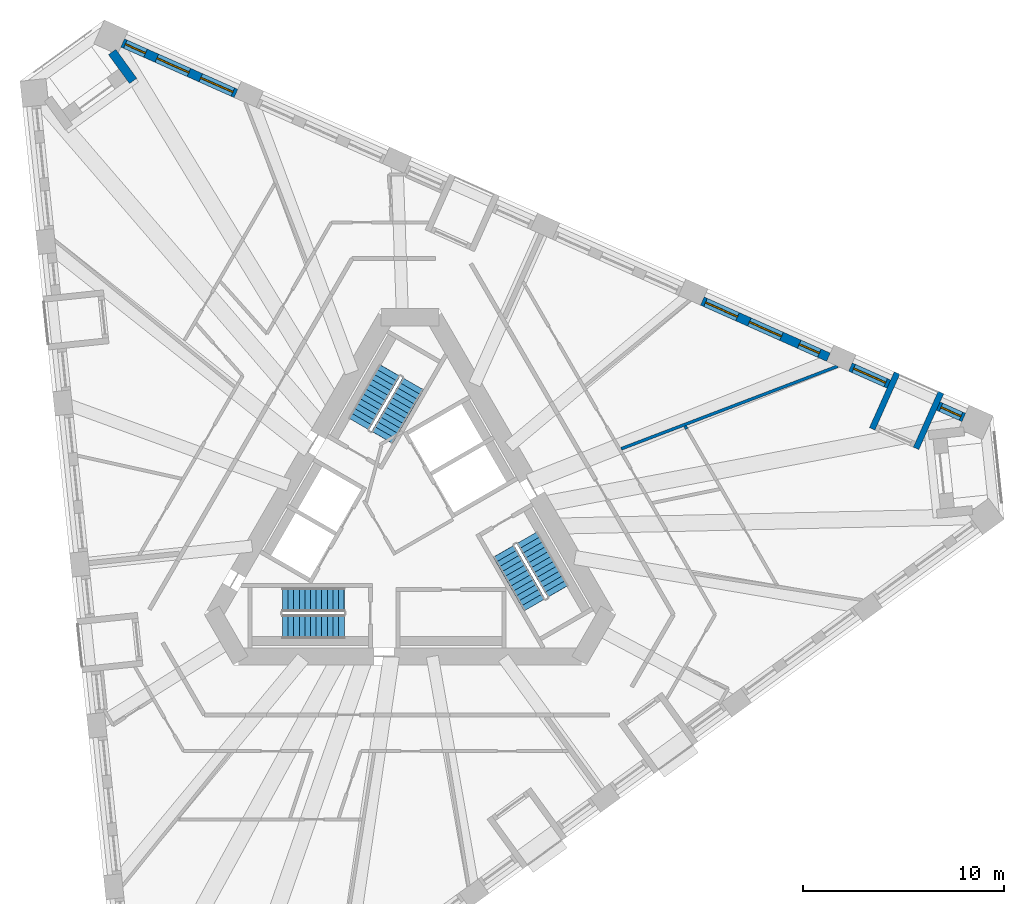
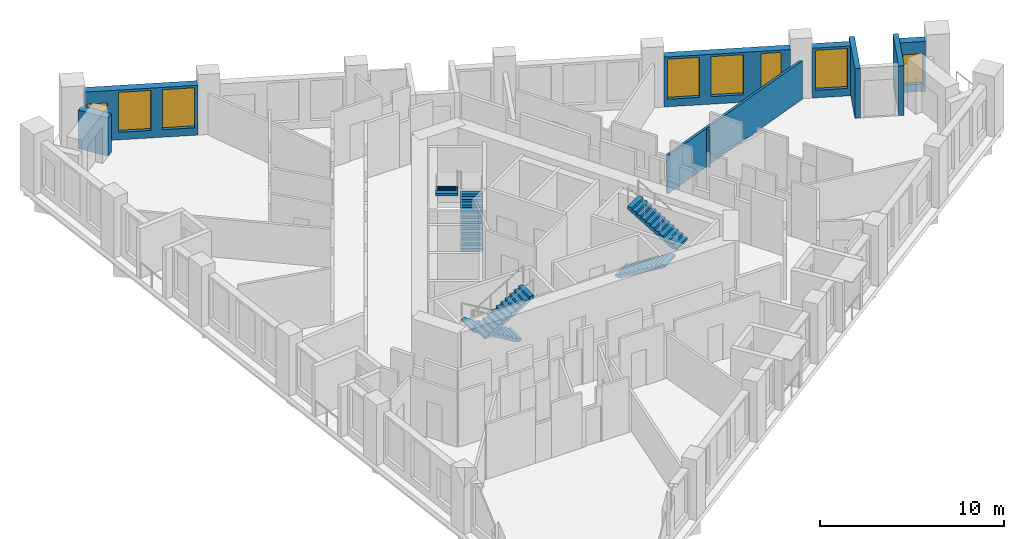
# One storey, part 9 of 14: 9 walls, 8 windows, 6 stair flights, 8 openings, 3 elements without a shape of their own.
"""IFC4 building model written with IfcOpenShell, lengths in metres."""

from ifc_helpers import new_model, si_unit, direction, frame, frame_2d, origin, place, context, subcontext, project, spatial, polyline, rectangle, outline, extrude, material, layer, layer_set, type_object, element, fill, aggregate, save


model = new_model("IFC4")

# Units and contexts
model_context = context("Model", 3, precision=1e-05, world=origin(), true_north=direction((0.0, 1.0)))
body_context = subcontext(model_context, "Body", "Model", "MODEL_VIEW")
ifc_project = project(units=[si_unit("LENGTHUNIT", "METRE"), si_unit("AREAUNIT", "SQUARE_METRE"), si_unit("VOLUMEUNIT", "CUBIC_METRE"), si_unit("PLANEANGLEUNIT", "RADIAN"), si_unit("MASSUNIT", "GRAM", prefix="KILO")], contexts=[model_context])

# Site, building, storey
site_placement = place(None, origin())
site = spatial("IfcSite", under=ifc_project, at=site_placement, CompositionType="ELEMENT")
building_placement = place(site_placement, origin())
building = spatial("IfcBuilding", under=site, at=building_placement, Name="Tramontana Tower", CompositionType="ELEMENT")
storey_placement = place(building_placement, frame((0.0, 0.0, 166.800048828125)))
storey = spatial("IfcBuildingStorey", under=building, at=storey_placement, Name="L38", CompositionType="ELEMENT", Elevation=166.800048828125)

# Wall, opening, window
ifc_material_1 = material(Name="Precast concrete 60 MPa", Category="concrete")
ifc_layer_1 = layer(ifc_material_1, 0.449951171875)
ifc_layer_set_1 = layer_set([ifc_layer_1], Name="Precast concrete 60 MPa, 450 mm")
wall_type_1 = type_object("IfcWallType", Name="EW1 Stone-faced precast wall 450", PredefinedType="SOLIDWALL", material=ifc_layer_set_1)
wall_1_placement = place(storey_placement, frame((27.604736328125, 5.57958984375, 0.0), z_axis=(0.0, 0.0, 1.0), x_axis=(-0.913558681389, 0.406706940756, 0.0)))
wall_1 = element("IfcWall", 1, at=wall_1_placement, inside=storey, type_object=wall_type_1, Name="External wall L38 face 2 bay 1", PredefinedType="SOLIDWALL", context=body_context, shape_type="SweptSolid", body=[
    extrude(rectangle(XDim=1.39453125, YDim=0.449951171875, at=frame_2d((0.697265625, 0.0))), origin(), (0.0, 0.0, 1.0), 3.300048828125),
])
opening_1_placement = place(wall_1_placement, frame((0.147216796875, 0.0, 0.5)))
opening_1 = element("IfcOpeningElement", 2, at=opening_1_placement, cuts=wall_1, Name="Opening N2L", PredefinedType="OPENING", context=body_context, shape_type="SweptSolid", body=[
    extrude(rectangle(XDim=1.10009765625, YDim=2.0, at=frame_2d((0.550048828125, 1.0))), frame((0.0, 0.23486328125, 0.0), z_axis=(0.0, -1.0, 0.0), x_axis=(1.0, 0.0, 0.0)), (0.0, 0.0, 1.0), 0.469970703125),
])
ifc_material_2 = material(Name="Aluminum frame, double glazing unit", Category="aluminium")
window_type_1 = type_object("IfcWindowType", Name="N2L Window 1.1 x 2", PartitioningType="SINGLE_PANEL", PredefinedType="WINDOW", material=ifc_material_2)
window_1_placement = place(opening_1_placement, origin())
window_1 = element("IfcWindow", 3, at=window_1_placement, inside=storey, type_object=window_type_1, Name="Window N2L L38 face 2 module 1", OverallHeight=2.0, OverallWidth=1.10009765625, PartitioningType="SINGLE_PANEL", PredefinedType="WINDOW", context=body_context, shape_type="SweptSolid", body=[
    extrude(rectangle(XDim=1.10009765625, YDim=2.0, at=frame_2d((0.550048828125, 1.0))), frame((0.0, 0.030029296875, 0.0), z_axis=(0.0, -1.0, 0.0), x_axis=(1.0, 0.0, 0.0)), (0.0, 0.0, 1.0), 0.06005859375),
])
fill(opening_1, window_1)

wall_2_placement = place(storey_placement, frame((23.86962890625, 7.242431640625, 0.0), z_axis=(0.0, 0.0, 1.0), x_axis=(-0.913513282906, 0.406808901026, 0.0)))
wall_2 = element("IfcWall", 4, at=wall_2_placement, inside=storey, type_object=wall_type_1, Name="External wall L38 face 2 bay 1", PredefinedType="SOLIDWALL", context=body_context, shape_type="SweptSolid", body=[
    extrude(rectangle(XDim=2.094482421875, YDim=0.449951171875, at=frame_2d((1.04736328125, 0.0))), origin(), (0.0, 0.0, 1.0), 3.300048828125),
])
opening_2_placement = place(wall_2_placement, frame((0.172119140625, 0.0, 0.5)))
opening_2 = element("IfcOpeningElement", 5, at=opening_2_placement, cuts=wall_2, Name="Opening M2", PredefinedType="OPENING", context=body_context, shape_type="SweptSolid", body=[
    extrude(rectangle(XDim=1.75, YDim=2.64990234375, at=frame_2d((0.875, 1.324951171875))), frame((0.0, 0.23486328125, 0.0), z_axis=(0.0, -1.0, 0.0), x_axis=(1.0, 0.0, 0.0)), (0.0, 0.0, 1.0), 0.469970703125),
])
ifc_material_3 = material(Name="Aluminum frame, double glazing unit", Category="aluminium")
window_type_2 = type_object("IfcWindowType", Name="M2 Window 1.75 x 2.65", PartitioningType="SINGLE_PANEL", PredefinedType="WINDOW", material=ifc_material_3)
window_2_placement = place(opening_2_placement, origin())
window_2 = element("IfcWindow", 6, at=window_2_placement, inside=storey, type_object=window_type_2, Name="Window M2 L38 face 2 module 3", OverallHeight=2.64990234375, OverallWidth=1.75, PartitioningType="SINGLE_PANEL", PredefinedType="WINDOW", context=body_context, shape_type="SweptSolid", body=[
    extrude(rectangle(XDim=1.75, YDim=2.64990234375, at=frame_2d((0.875, 1.324951171875))), frame((0.0, 0.030029296875, 0.0), z_axis=(0.0, -1.0, 0.0), x_axis=(1.0, 0.0, 0.0)), (0.0, 0.0, 1.0), 0.06005859375),
])
fill(opening_2, window_2)

# Wall, openings, windows
wall_3_placement = place(storey_placement, frame((20.860107421875, 8.58251953125, 0.0), z_axis=(0.0, 0.0, 1.0), x_axis=(-0.913543675585, 0.40674064562, 0.0)))
wall_3 = element("IfcWall", 7, at=wall_3_placement, inside=storey, type_object=wall_type_1, Name="External wall L38 face 2 bay 2", PredefinedType="SOLIDWALL", context=body_context, shape_type="SweptSolid", body=[
    extrude(rectangle(XDim=6.8828125, YDim=0.449951171875, at=frame_2d((3.44140625, 0.0))), origin(), (0.0, 0.0, 1.0), 3.300048828125),
])
opening_3_placement = place(wall_3_placement, frame((0.4970703125, 0.0, 0.5)))
opening_3 = element("IfcOpeningElement", 8, at=opening_3_placement, cuts=wall_3, Name="Opening N2", PredefinedType="OPENING", context=body_context, shape_type="SweptSolid", body=[
    extrude(rectangle(XDim=1.10009765625, YDim=2.64990234375, at=frame_2d((0.550048828125, 1.324951171875))), frame((0.0, 0.23486328125, 0.0), z_axis=(0.0, -1.0, 0.0), x_axis=(1.0, 0.0, 0.0)), (0.0, 0.0, 1.0), 0.469970703125),
])
opening_4_placement = place(wall_3_placement, frame((2.56640625, 0.0, 0.5)))
opening_4 = element("IfcOpeningElement", 9, at=opening_4_placement, cuts=wall_3, Name="Opening M2", PredefinedType="OPENING", context=body_context, shape_type="SweptSolid", body=[
    extrude(rectangle(XDim=1.75, YDim=2.64990234375, at=frame_2d((0.875, 1.324951171875))), frame((0.0, 0.23486328125, 0.0), z_axis=(0.0, -1.0, 0.0), x_axis=(1.0, 0.0, 0.0)), (0.0, 0.0, 1.0), 0.469970703125),
])
opening_5_placement = place(wall_3_placement, frame((4.960693359375, 0.0, 0.5)))
opening_5 = element("IfcOpeningElement", 10, at=opening_5_placement, cuts=wall_3, Name="Opening M2", PredefinedType="OPENING", context=body_context, shape_type="SweptSolid", body=[
    extrude(rectangle(XDim=1.75, YDim=2.64990234375, at=frame_2d((0.875, 1.324951171875))), frame((0.0, 0.23486328125, 0.0), z_axis=(0.0, -1.0, 0.0), x_axis=(1.0, 0.0, 0.0)), (0.0, 0.0, 1.0), 0.469970703125),
])
window_3_placement = place(opening_4_placement, origin())
window_3 = element("IfcWindow", 11, at=window_3_placement, inside=storey, type_object=window_type_2, Name="Window M2 L38 face 2 module 5", OverallHeight=2.64990234375, OverallWidth=1.75, PartitioningType="SINGLE_PANEL", PredefinedType="WINDOW", context=body_context, shape_type="SweptSolid", body=[
    extrude(rectangle(XDim=1.75, YDim=2.64990234375, at=frame_2d((0.875, 1.324951171875))), frame((0.0, 0.030029296875, 0.0), z_axis=(0.0, -1.0, 0.0), x_axis=(1.0, 0.0, 0.0)), (0.0, 0.0, 1.0), 0.06005859375),
])
fill(opening_4, window_3)
window_4_placement = place(opening_5_placement, origin())
window_4 = element("IfcWindow", 12, at=window_4_placement, inside=storey, type_object=window_type_2, Name="Window M2 L38 face 2 module 6", OverallHeight=2.64990234375, OverallWidth=1.75, PartitioningType="SINGLE_PANEL", PredefinedType="WINDOW", context=body_context, shape_type="SweptSolid", body=[
    extrude(rectangle(XDim=1.75, YDim=2.64990234375, at=frame_2d((0.875, 1.324951171875))), frame((0.0, 0.030029296875, 0.0), z_axis=(0.0, -1.0, 0.0), x_axis=(1.0, 0.0, 0.0)), (0.0, 0.0, 1.0), 0.06005859375),
])
fill(opening_5, window_4)
ifc_material_4 = material(Name="Aluminum frame, double glazing unit", Category="aluminium")
window_type_3 = type_object("IfcWindowType", Name="N2 Window 1.1 x 2.65", PartitioningType="SINGLE_PANEL", PredefinedType="WINDOW", material=ifc_material_4)
window_5_placement = place(opening_3_placement, origin())
window_5 = element("IfcWindow", 13, at=window_5_placement, inside=storey, type_object=window_type_3, Name="Window N2 L38 face 2 module 4", OverallHeight=2.64990234375, OverallWidth=1.10009765625, PartitioningType="SINGLE_PANEL", PredefinedType="WINDOW", context=body_context, shape_type="SweptSolid", body=[
    extrude(rectangle(XDim=1.10009765625, YDim=2.64990234375, at=frame_2d((0.550048828125, 1.324951171875))), frame((0.0, 0.030029296875, 0.0), z_axis=(0.0, -1.0, 0.0), x_axis=(1.0, 0.0, 0.0)), (0.0, 0.0, 1.0), 0.06005859375),
])
fill(opening_3, window_5)

wall_4_placement = place(storey_placement, frame((-8.67626953125, 21.73291015625, 0.0), z_axis=(0.0, 0.0, 1.0), x_axis=(-0.913542682641, 0.406742875773, 0.0)))
wall_4 = element("IfcWall", 14, at=wall_4_placement, inside=storey, type_object=wall_type_1, Name="External wall L38 face 2 bay 6", PredefinedType="SOLIDWALL", context=body_context, shape_type="SweptSolid", body=[
    extrude(rectangle(XDim=6.18310546875, YDim=0.449951171875, at=frame_2d((3.091552734375, 0.0))), origin(), (0.0, 0.0, 1.0), 3.300048828125),
])
opening_6_placement = place(wall_4_placement, frame((0.172119140625, 0.0, 0.5)))
opening_6 = element("IfcOpeningElement", 15, at=opening_6_placement, cuts=wall_4, Name="Opening M2", PredefinedType="OPENING", context=body_context, shape_type="SweptSolid", body=[
    extrude(rectangle(XDim=1.75, YDim=2.64990234375, at=frame_2d((0.875, 1.324951171875))), frame((0.0, 0.23486328125, 0.0), z_axis=(0.0, -1.0, 0.0), x_axis=(1.0, 0.0, 0.0)), (0.0, 0.0, 1.0), 0.469970703125),
])
opening_7_placement = place(wall_4_placement, frame((2.56640625, 0.0, 0.5)))
opening_7 = element("IfcOpeningElement", 16, at=opening_7_placement, cuts=wall_4, Name="Opening M2", PredefinedType="OPENING", context=body_context, shape_type="SweptSolid", body=[
    extrude(rectangle(XDim=1.75, YDim=2.64990234375, at=frame_2d((0.875, 1.324951171875))), frame((0.0, 0.23486328125, 0.0), z_axis=(0.0, -1.0, 0.0), x_axis=(1.0, 0.0, 0.0)), (0.0, 0.0, 1.0), 0.469970703125),
])
opening_8_placement = place(wall_4_placement, frame((4.935791015625, 0.0, 0.5)))
opening_8 = element("IfcOpeningElement", 17, at=opening_8_placement, cuts=wall_4, Name="Opening N2L", PredefinedType="OPENING", context=body_context, shape_type="SweptSolid", body=[
    extrude(rectangle(XDim=1.10009765625, YDim=2.0, at=frame_2d((0.550048828125, 1.0))), frame((0.0, 0.23486328125, 0.0), z_axis=(0.0, -1.0, 0.0), x_axis=(1.0, 0.0, 0.0)), (0.0, 0.0, 1.0), 0.469970703125),
])
window_6_placement = place(opening_6_placement, origin())
window_6 = element("IfcWindow", 18, at=window_6_placement, inside=storey, type_object=window_type_2, Name="Window M2 L38 face 2 module 16", OverallHeight=2.64990234375, OverallWidth=1.75, PartitioningType="SINGLE_PANEL", PredefinedType="WINDOW", context=body_context, shape_type="SweptSolid", body=[
    extrude(rectangle(XDim=1.75, YDim=2.64990234375, at=frame_2d((0.875, 1.324951171875))), frame((0.0, 0.030029296875, 0.0), z_axis=(0.0, -1.0, 0.0), x_axis=(1.0, 0.0, 0.0)), (0.0, 0.0, 1.0), 0.06005859375),
])
fill(opening_6, window_6)
window_7_placement = place(opening_7_placement, origin())
window_7 = element("IfcWindow", 19, at=window_7_placement, inside=storey, type_object=window_type_2, Name="Window M2 L38 face 2 module 17", OverallHeight=2.64990234375, OverallWidth=1.75, PartitioningType="SINGLE_PANEL", PredefinedType="WINDOW", context=body_context, shape_type="SweptSolid", body=[
    extrude(rectangle(XDim=1.75, YDim=2.64990234375, at=frame_2d((0.875, 1.324951171875))), frame((0.0, 0.030029296875, 0.0), z_axis=(0.0, -1.0, 0.0), x_axis=(1.0, 0.0, 0.0)), (0.0, 0.0, 1.0), 0.06005859375),
])
fill(opening_7, window_7)
window_8_placement = place(opening_8_placement, origin())
window_8 = element("IfcWindow", 20, at=window_8_placement, inside=storey, type_object=window_type_1, Name="Window N2L L38 face 2 module 18", OverallHeight=2.0, OverallWidth=1.10009765625, PartitioningType="SINGLE_PANEL", PredefinedType="WINDOW", context=body_context, shape_type="SweptSolid", body=[
    extrude(rectangle(XDim=1.10009765625, YDim=2.0, at=frame_2d((0.550048828125, 1.0))), frame((0.0, 0.030029296875, 0.0), z_axis=(0.0, -1.0, 0.0), x_axis=(1.0, 0.0, 0.0)), (0.0, 0.0, 1.0), 0.06005859375),
])
fill(opening_8, window_8)

# Walls
wall_5_placement = place(storey_placement, frame((-14.847900390625, 23.796630859375, 0.0), z_axis=(0.0, 0.0, 1.0), x_axis=(0.587722853316, -0.809062326209, 0.0)))
element("IfcWall", 21, at=wall_5_placement, inside=storey, type_object=wall_type_1, Name="Corner loggia side wall L38 K40r", PredefinedType="SOLIDWALL", context=body_context, shape_type="SweptSolid", body=[
    extrude(rectangle(XDim=1.779052734375, YDim=0.449951171875, at=frame_2d((0.8896484375, 0.0))), origin(), (0.0, 0.0, 1.0), 2.550048828125),
])
ifc_material_5 = material(Name="Precast concrete 60 MPa", Category="concrete")
ifc_layer_2 = layer(ifc_material_5, 0.300048828125)
ifc_layer_set_2 = layer_set([ifc_layer_2], Name="LW1 Stone-faced loggia wall 300")
wall_type_2 = type_object("IfcWallType", Name="LW1 Stone-faced loggia wall 300", PredefinedType="SOLIDWALL", material=ifc_layer_set_2)
for number, where, z_axis, x_axis, name in (
    (22, (26.468505859375, 6.82421875, 0.0), (0.0, 0.0, 1.0), (-0.406806804169, -0.913514216683, 0.0), "Loggia return L38 G4S2.1a"),
    (23, (24.281005859375, 7.798095703125, 0.0), (0.0, 0.0, 1.0), (-0.406739999721, -0.91354396316, 0.0), "Loggia return L38 G4S2.1b"),
):
    element("IfcWall", number, at=place(storey_placement, frame(where, z_axis=z_axis, x_axis=x_axis)), inside=storey, type_object=wall_type_2, Name=name, PredefinedType="SOLIDWALL", context=body_context, shape_type="SweptSolid", body=[
        extrude(rectangle(XDim=3.0498046875, YDim=0.300048828125, at=frame_2d((1.52490234375, 0.0))), origin(), (0.0, 0.0, 1.0), 3.300048828125),
    ])
ifc_material_6 = material(Name="Gypsum board partition")
ifc_layer_3 = layer(ifc_material_6, 0.14990234375)
ifc_layer_set_3 = layer_set([ifc_layer_3], Name="PARTITION 150")
wall_type_3 = type_object("IfcWallType", Name="PARTITION 150", PredefinedType="PARTITIONING", material=ifc_layer_set_3)
wall_6_placement = place(storey_placement, frame((10.52734375, 4.016357421875, 0.0), z_axis=(0.0, 0.0, 1.0), x_axis=(0.934307766119, 0.356467387245, 0.0)))
element("IfcWall", 24, at=wall_6_placement, inside=storey, type_object=wall_type_3, Name="Wall v40-pw29-0", PredefinedType="PARTITIONING", context=body_context, shape_type="SweptSolid", body=[
    extrude(rectangle(XDim=11.5478515625, YDim=0.14990234375, at=frame_2d((5.77392578125, 0.0))), origin(), (0.0, 0.0, 1.0), 2.550048828125),
])
wall_7_placement = place(storey_placement, frame((13.71142578125, 5.15087890625, 0.0), z_axis=(0.0, 0.0, 1.0), x_axis=(0.501154914898, -0.865357585784, 0.0)))
element("IfcWall", 25, at=wall_7_placement, inside=storey, type_object=wall_type_3, Name="Wall v40-pw31-0", PredefinedType="PARTITIONING", context=body_context, shape_type="SweptSolid", body=[
    extrude(rectangle(XDim=0.162109375, YDim=0.14990234375, at=frame_2d((0.0810546875, 0.0))), origin(), (0.0, 0.0, 1.0), 2.550048828125),
])

# Stair, stair flights
ifc_material_7 = material(Name="Concrete 40 MPa", Category="concrete")
stair_type = type_object("IfcStairType", Name="EXIT STAIR 24 RISERS", PredefinedType="HALF_TURN_STAIR", material=ifc_material_7)
stair_1_placement = place(storey_placement, origin())
stair_1 = element("IfcStair", 26, at=stair_1_placement, inside=storey, type_object=stair_type, Name="L38 Exit stair ST1", PredefinedType="HALF_TURN_STAIR")
ifc_material_8 = material(Name="Concrete 40 MPa", Category="concrete")
ifc_layer_4 = layer(ifc_material_8, 0.14990234375)
ifc_layer_set_4 = layer_set([ifc_layer_4], Name="EXIT STAIR FLIGHT")
stair_flight_type = type_object("IfcStairFlightType", Name="EXIT STAIR FLIGHT", PredefinedType="STRAIGHT", material=ifc_layer_set_4)
stair_flight_1_placement = place(storey_placement, frame((-1.39111328125, 4.590576171875, 0.0), z_axis=(0.0, 0.0, 1.0), x_axis=(0.5, 0.866025403784, 0.0)))
stair_flight_1 = element("IfcStairFlight", 27, at=stair_flight_1_placement, type_object=stair_flight_type, Name="ST1 flight 1", NumberOfRisers=12, NumberOfTreads=11, PredefinedType="STRAIGHT", RiserHeight=0.166666667, TreadLength=0.28, context=body_context, shape_type="SweptSolid", body=[
    extrude(outline(polyline([(-0.006103515625, 0.0), (-0.006103515625, 0.0400390625), (0.0, 0.0400390625), (0.0, 0.166748046875), (0.280029296875, 0.166748046875), (0.280029296875, 0.333251953125), (0.56005859375, 0.333251953125), (0.56005859375, 0.5), (0.840087890625, 0.5), (0.840087890625, 0.666748046875), (1.1201171875, 0.666748046875), (1.1201171875, 0.833251953125), (1.39990234375, 0.833251953125), (1.39990234375, 1.0), (1.679931640625, 1.0), (1.679931640625, 1.166748046875), (1.9599609375, 1.166748046875), (1.9599609375, 1.333251953125), (2.239990234375, 1.333251953125), (2.239990234375, 1.5), (2.52001953125, 1.5), (2.52001953125, 1.666748046875), (2.800048828125, 1.666748046875), (2.800048828125, 1.833251953125), (3.080078125, 1.833251953125), (3.0859375, 1.833251953125), (3.0859375, 1.658935546875), (0.299072265625, 0.0), (-0.006103515625, 0.0)])), frame((0.0, 0.60009765625, 0.0), z_axis=(0.0, -1.0, 0.0), x_axis=(1.0, 0.0, 0.0)), (0.0, 0.0, 1.0), 1.199951171875),
])
stair_flight_2_placement = place(storey_placement, frame((-1.020263671875, 7.932861328125, 2.0), z_axis=(0.0, 0.0, 1.0), x_axis=(-0.5, -0.866025403784, 0.0)))
stair_flight_2 = element("IfcStairFlight", 28, at=stair_flight_2_placement, type_object=stair_flight_type, Name="ST1 flight 2", NumberOfRisers=12, NumberOfTreads=11, PredefinedType="STRAIGHT", RiserHeight=0.166666667, TreadLength=0.28, context=body_context, shape_type="SweptSolid", body=[
    extrude(outline(polyline([(-0.006103515625, 0.0), (-0.006103515625, 0.0400390625), (0.0, 0.0400390625), (0.0, 0.166748046875), (0.280029296875, 0.166748046875), (0.280029296875, 0.333251953125), (0.56005859375, 0.333251953125), (0.56005859375, 0.5), (0.840087890625, 0.5), (0.840087890625, 0.666748046875), (1.1201171875, 0.666748046875), (1.1201171875, 0.833251953125), (1.39990234375, 0.833251953125), (1.39990234375, 1.0), (1.679931640625, 1.0), (1.679931640625, 1.166748046875), (1.9599609375, 1.166748046875), (1.9599609375, 1.333251953125), (2.239990234375, 1.333251953125), (2.239990234375, 1.5), (2.52001953125, 1.5), (2.52001953125, 1.666748046875), (2.800048828125, 1.666748046875), (2.800048828125, 1.833251953125), (3.080078125, 1.833251953125), (3.0859375, 1.833251953125), (3.0859375, 1.658935546875), (0.299072265625, 0.0), (-0.006103515625, 0.0)])), frame((0.0, 0.60009765625, 0.0), z_axis=(0.0, -1.0, 0.0), x_axis=(1.0, 0.0, 0.0)), (0.0, 0.0, 1.0), 1.199951171875),
])
aggregate(stair_1, [stair_flight_1, stair_flight_2])

stair_2_placement = place(storey_placement, origin())
stair_2 = element("IfcStair", 29, at=stair_2_placement, inside=storey, type_object=stair_type, Name="L38 Exit stair ST2", PredefinedType="HALF_TURN_STAIR")
stair_flight_3_placement = place(storey_placement, frame((-3.280029296875, -3.5, 0.0), z_axis=(0.0, 0.0, 1.0), x_axis=(-1.0, 0.0, 0.0)))
stair_flight_3 = element("IfcStairFlight", 30, at=stair_flight_3_placement, type_object=stair_flight_type, Name="ST2 flight 1", NumberOfRisers=12, NumberOfTreads=11, PredefinedType="STRAIGHT", RiserHeight=0.166666667, TreadLength=0.28, context=body_context, shape_type="SweptSolid", body=[
    extrude(outline(polyline([(-0.006103515625, 0.0), (-0.006103515625, 0.0400390625), (0.0, 0.0400390625), (0.0, 0.166748046875), (0.280029296875, 0.166748046875), (0.280029296875, 0.333251953125), (0.56005859375, 0.333251953125), (0.56005859375, 0.5), (0.840087890625, 0.5), (0.840087890625, 0.666748046875), (1.1201171875, 0.666748046875), (1.1201171875, 0.833251953125), (1.39990234375, 0.833251953125), (1.39990234375, 1.0), (1.679931640625, 1.0), (1.679931640625, 1.166748046875), (1.9599609375, 1.166748046875), (1.9599609375, 1.333251953125), (2.239990234375, 1.333251953125), (2.239990234375, 1.5), (2.52001953125, 1.5), (2.52001953125, 1.666748046875), (2.800048828125, 1.666748046875), (2.800048828125, 1.833251953125), (3.080078125, 1.833251953125), (3.0859375, 1.833251953125), (3.0859375, 1.658935546875), (0.299072265625, 0.0), (-0.006103515625, 0.0)])), frame((0.0, 0.60009765625, 0.0), z_axis=(0.0, -1.0, 0.0), x_axis=(1.0, 0.0, 0.0)), (0.0, 0.0, 1.0), 1.199951171875),
])
stair_flight_4_placement = place(storey_placement, frame((-6.360107421875, -4.85009765625, 2.0), z_axis=(0.0, 0.0, 1.0), x_axis=(1.0, 0.0, 0.0)))
stair_flight_4 = element("IfcStairFlight", 31, at=stair_flight_4_placement, type_object=stair_flight_type, Name="ST2 flight 2", NumberOfRisers=12, NumberOfTreads=11, PredefinedType="STRAIGHT", RiserHeight=0.166666667, TreadLength=0.28, context=body_context, shape_type="SweptSolid", body=[
    extrude(outline(polyline([(-0.006103515625, 0.0), (-0.006103515625, 0.0400390625), (0.0, 0.0400390625), (0.0, 0.166748046875), (0.280029296875, 0.166748046875), (0.280029296875, 0.333251953125), (0.56005859375, 0.333251953125), (0.56005859375, 0.5), (0.840087890625, 0.5), (0.840087890625, 0.666748046875), (1.1201171875, 0.666748046875), (1.1201171875, 0.833251953125), (1.39990234375, 0.833251953125), (1.39990234375, 1.0), (1.679931640625, 1.0), (1.679931640625, 1.166748046875), (1.9599609375, 1.166748046875), (1.9599609375, 1.333251953125), (2.239990234375, 1.333251953125), (2.239990234375, 1.5), (2.52001953125, 1.5), (2.52001953125, 1.666748046875), (2.800048828125, 1.666748046875), (2.800048828125, 1.833251953125), (3.080078125, 1.833251953125), (3.0859375, 1.833251953125), (3.0859375, 1.658935546875), (0.299072265625, 0.0), (-0.006103515625, 0.0)])), frame((0.0, 0.60009765625, 0.0), z_axis=(0.0, -1.0, 0.0), x_axis=(1.0, 0.0, 0.0)), (0.0, 0.0, 1.0), 1.199951171875),
])
aggregate(stair_2, [stair_flight_3, stair_flight_4])

stair_3_placement = place(storey_placement, origin())
stair_3 = element("IfcStair", 32, at=stair_3_placement, inside=storey, type_object=stair_type, Name="L38 Exit stair ST3", PredefinedType="HALF_TURN_STAIR")
stair_flight_5_placement = place(storey_placement, frame((4.671142578125, -1.090576171875, 0.0), z_axis=(0.0, 0.0, 1.0), x_axis=(0.5, -0.866025403784, 0.0)))
stair_flight_5 = element("IfcStairFlight", 33, at=stair_flight_5_placement, type_object=stair_flight_type, Name="ST3 flight 1", NumberOfRisers=12, NumberOfTreads=11, PredefinedType="STRAIGHT", RiserHeight=0.166666667, TreadLength=0.28, context=body_context, shape_type="SweptSolid", body=[
    extrude(outline(polyline([(-0.006103515625, 0.0), (-0.006103515625, 0.0400390625), (0.0, 0.0400390625), (0.0, 0.166748046875), (0.280029296875, 0.166748046875), (0.280029296875, 0.333251953125), (0.56005859375, 0.333251953125), (0.56005859375, 0.5), (0.840087890625, 0.5), (0.840087890625, 0.666748046875), (1.1201171875, 0.666748046875), (1.1201171875, 0.833251953125), (1.39990234375, 0.833251953125), (1.39990234375, 1.0), (1.679931640625, 1.0), (1.679931640625, 1.166748046875), (1.9599609375, 1.166748046875), (1.9599609375, 1.333251953125), (2.239990234375, 1.333251953125), (2.239990234375, 1.5), (2.52001953125, 1.5), (2.52001953125, 1.666748046875), (2.800048828125, 1.666748046875), (2.800048828125, 1.833251953125), (3.080078125, 1.833251953125), (3.0859375, 1.833251953125), (3.0859375, 1.658935546875), (0.299072265625, 0.0), (-0.006103515625, 0.0)])), frame((0.0, 0.60009765625, 0.0), z_axis=(0.0, -1.0, 0.0), x_axis=(1.0, 0.0, 0.0)), (0.0, 0.0, 1.0), 1.199951171875),
])
stair_flight_6_placement = place(storey_placement, frame((7.380126953125, -3.0830078125, 2.0), z_axis=(0.0, 0.0, 1.0), x_axis=(-0.5, 0.866025403784, 0.0)))
stair_flight_6 = element("IfcStairFlight", 34, at=stair_flight_6_placement, type_object=stair_flight_type, Name="ST3 flight 2", NumberOfRisers=12, NumberOfTreads=11, PredefinedType="STRAIGHT", RiserHeight=0.166666667, TreadLength=0.28, context=body_context, shape_type="SweptSolid", body=[
    extrude(outline(polyline([(-0.006103515625, 0.0), (-0.006103515625, 0.0400390625), (0.0, 0.0400390625), (0.0, 0.166748046875), (0.280029296875, 0.166748046875), (0.280029296875, 0.333251953125), (0.56005859375, 0.333251953125), (0.56005859375, 0.5), (0.840087890625, 0.5), (0.840087890625, 0.666748046875), (1.1201171875, 0.666748046875), (1.1201171875, 0.833251953125), (1.39990234375, 0.833251953125), (1.39990234375, 1.0), (1.679931640625, 1.0), (1.679931640625, 1.166748046875), (1.9599609375, 1.166748046875), (1.9599609375, 1.333251953125), (2.239990234375, 1.333251953125), (2.239990234375, 1.5), (2.52001953125, 1.5), (2.52001953125, 1.666748046875), (2.800048828125, 1.666748046875), (2.800048828125, 1.833251953125), (3.080078125, 1.833251953125), (3.0859375, 1.833251953125), (3.0859375, 1.658935546875), (0.299072265625, 0.0), (-0.006103515625, 0.0)])), frame((0.0, 0.60009765625, 0.0), z_axis=(0.0, -1.0, 0.0), x_axis=(1.0, 0.0, 0.0)), (0.0, 0.0, 1.0), 1.199951171875),
])
aggregate(stair_3, [stair_flight_5, stair_flight_6])

save(model, "model.ifc")
